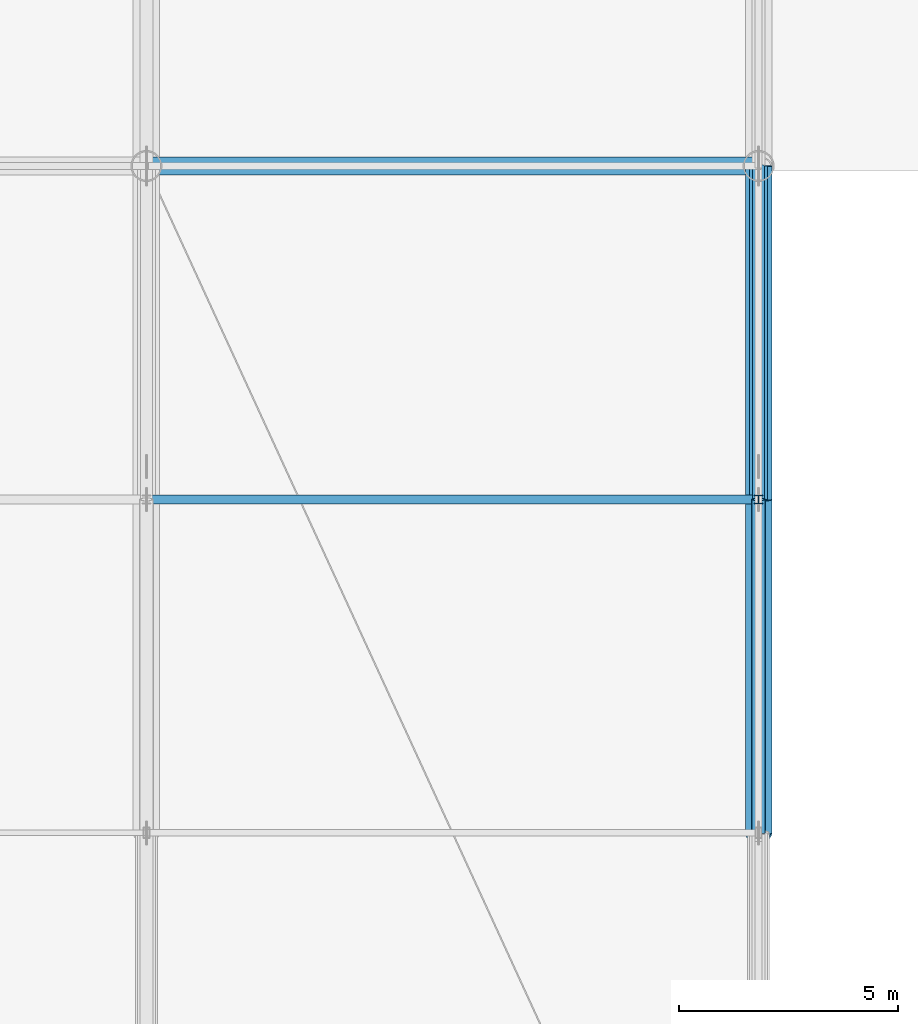
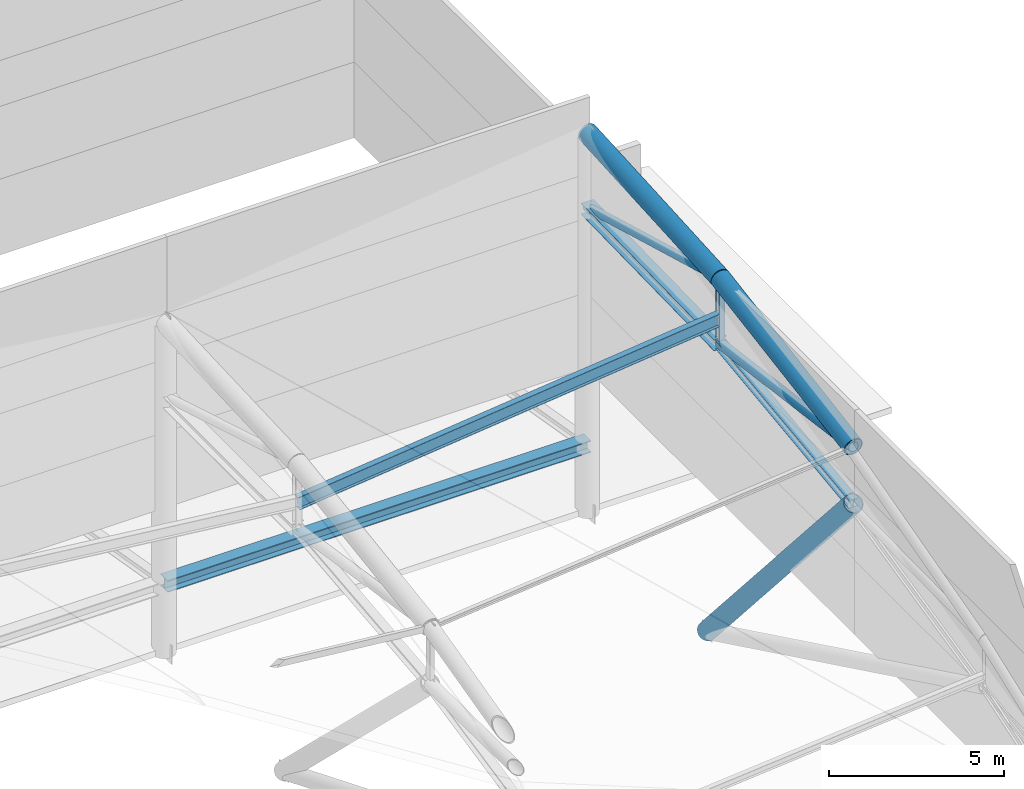
# One storey, part 63 of 113: 9 members, 1 beam.
"""IFC4 building model written with IfcOpenShell, lengths in metres."""

from ifc_helpers import new_model, si_unit, direction, frame, origin, origin_2d, place, context, subcontext, project, spatial, hollow_circle, i_section, extrude, material, material_profile, profile_set, type_object, element, save


model = new_model("IFC4")

# Units and contexts
model_context = context("Model", 3, precision=1e-05, world=origin(), true_north=direction((0.0, 1.0)))
body_context = subcontext(model_context, "Body", "Model", "MODEL_VIEW")
ifc_project = project(units=[si_unit("LENGTHUNIT", "METRE"), si_unit("AREAUNIT", "SQUARE_METRE"), si_unit("VOLUMEUNIT", "CUBIC_METRE"), si_unit("PLANEANGLEUNIT", "RADIAN"), si_unit("MASSUNIT", "GRAM", prefix="KILO")], contexts=[model_context])

# Site, building, storey
site_placement = place(None, origin())
site = spatial("IfcSite", under=ifc_project, at=site_placement, CompositionType="ELEMENT")
building_placement = place(site_placement, origin())
building = spatial("IfcBuilding", under=site, at=building_placement, Name="Linyun Crest Stadium", CompositionType="ELEMENT")
storey_placement = place(building_placement, frame((0.0, 0.0, 26.39990234375)))
storey = spatial("IfcBuildingStorey", under=building, at=storey_placement, Name="L06", CompositionType="ELEMENT", Elevation=26.39990234375)

# Beam
ifc_material_1 = material(Name="Steel Q420C", Category="steel")
ifc_material_profile_1 = material_profile(ifc_material_1, i_section(OverallWidth=0.405029296875, OverallDepth=0.4140625, WebThickness=0.01806640625, FlangeThickness=0.028076171875, at=origin_2d()), Name="HW 414x405")
ifc_profile_set_1 = profile_set([ifc_material_profile_1], Name="Steel Q420C")
beam_type = type_object("IfcBeamType", Name="HB04", PredefinedType="USERDEFINED", material=ifc_profile_set_1)
beam_placement = place(storey_placement, frame((14.0, 91.5, 2.18505859375), z_axis=(1.0, 0.0, 0.0), x_axis=(0.0, 1.0, 0.0)))
element("IfcBeam", 1, at=beam_placement, inside=storey, type_object=beam_type, Name="Roof Outer compression ring beam HB04 V3 36", ObjectType="RING BEAM", PredefinedType="USERDEFINED", context=body_context, shape_type="SweptSolid", body=[
    extrude(i_section(OverallWidth=0.405029296875, OverallDepth=0.4140625, WebThickness=0.01806640625, FlangeThickness=0.028076171875, at=origin_2d()), origin(), (0.0, 0.0, 1.0), 14.0),
])

# Members
ifc_material_2 = material(Name="Steel Q355B", Category="steel")
ifc_material_profile_2 = material_profile(ifc_material_2, i_section(OverallWidth=0.199951171875, OverallDepth=0.449951171875, WebThickness=0.009033203125, FlangeThickness=0.013916015625, at=origin_2d()), Name="HN 450x200")
ifc_profile_set_2 = profile_set([ifc_material_profile_2], Name="Steel Q355B")
member_type_1 = type_object("IfcMemberType", Name="PR04", PredefinedType="PURLIN", material=ifc_profile_set_2)
member_1_placement = place(storey_placement, frame((14.0, 83.875, 9.63916015625), z_axis=(0.993911393059, 0.0, 0.110182315947), x_axis=(0.0, 1.0, 0.0)))
element("IfcMember", 2, at=member_1_placement, inside=storey, type_object=member_type_1, Name="Roof canopy purlin PR04 V3 468", PredefinedType="PURLIN", context=body_context, shape_type="SweptSolid", body=[
    extrude(i_section(OverallWidth=0.199951171875, OverallDepth=0.449951171875, WebThickness=0.009033203125, FlangeThickness=0.013916015625, at=origin_2d()), origin(), (0.0, 0.0, 1.0), 14.085693359375),
])
ifc_material_3 = material(Name="Steel Q420C", Category="steel")
ifc_material_profile_3 = material_profile(ifc_material_3, hollow_circle(Radius=0.304931640625, WallThickness=0.030029296875, at=origin_2d()), Name="CHS 610x30")
ifc_profile_set_3 = profile_set([ifc_material_profile_3], Name="Steel Q420C")
member_type_2 = type_object("IfcMemberType", Name="TC02", PredefinedType="CHORD", material=ifc_profile_set_3)
member_2_placement = place(storey_placement, frame((28.0, 91.5, 13.050048828125), z_axis=(0.0, -0.998074401863, -0.062028125449), x_axis=(1.0, 0.0, 0.0)))
element("IfcMember", 3, at=member_2_placement, inside=storey, type_object=member_type_2, Name="Roof truss top chord TC02 V3 439", PredefinedType="CHORD", context=body_context, shape_type="SweptSolid", body=[
    extrude(hollow_circle(Radius=0.304931640625, WallThickness=0.030029296875, at=origin_2d()), origin(), (0.0, 0.0, 1.0), 7.6396484375),
])
member_3_placement = place(storey_placement, frame((28.0, 83.875, 12.576171875), z_axis=(0.0, -0.986323845108, -0.164818908415), x_axis=(1.0, 0.0, 0.0)))
element("IfcMember", 4, at=member_3_placement, inside=storey, type_object=member_type_2, Name="Roof truss top chord TC02 V3 442", PredefinedType="CHORD", context=body_context, shape_type="SweptSolid", body=[
    extrude(hollow_circle(Radius=0.304931640625, WallThickness=0.030029296875, at=origin_2d()), origin(), (0.0, 0.0, 1.0), 7.730712890625),
])
member_4_placement = place(storey_placement, frame((28.0, 84.625, -0.21484375), z_axis=(0.0, -0.659690988312, 0.751536958466), x_axis=(1.0, 0.0, 0.0)))
element("IfcMember", 5, at=member_4_placement, inside=storey, type_object=member_type_2, Name="Roof arch inclined support strut TC02 V3 454", PredefinedType="CHORD", context=body_context, shape_type="SweptSolid", body=[
    extrude(hollow_circle(Radius=0.304931640625, WallThickness=0.030029296875, at=origin_2d()), origin(), (0.0, 0.0, 1.0), 12.6953125),
])
ifc_material_4 = material(Name="Steel Q355C", Category="steel")
ifc_material_profile_4 = material_profile(ifc_material_4, i_section(OverallWidth=0.300048828125, OverallDepth=0.300048828125, WebThickness=0.010009765625, FlangeThickness=0.014892578125, at=origin_2d()), Name="HW 300x300")
ifc_profile_set_4 = profile_set([ifc_material_profile_4], Name="Steel Q355C")
member_type_3 = type_object("IfcMemberType", Name="TC03", PredefinedType="CHORD", material=ifc_profile_set_4)
member_5_placement = place(storey_placement, frame((28.0, 83.875, 10.2880859375), z_axis=(0.0, -0.992136487072, -0.125160660831), x_axis=(1.0, 0.0, 0.0)))
element("IfcMember", 6, at=member_5_placement, inside=storey, type_object=member_type_3, Name="Roof truss bottom chord TC03 V3 443", PredefinedType="CHORD", context=body_context, shape_type="SweptSolid", body=[
    extrude(i_section(OverallWidth=0.300048828125, OverallDepth=0.300048828125, WebThickness=0.010009765625, FlangeThickness=0.014892578125, at=origin_2d()), origin(), (0.0, 0.0, 1.0), 7.685546875),
])
ifc_material_5 = material(Name="Steel Q420C", Category="steel")
ifc_material_profile_5 = material_profile(ifc_material_5, i_section(OverallWidth=0.407958984375, OverallDepth=0.39990234375, WebThickness=0.02099609375, FlangeThickness=0.02099609375, at=origin_2d()), Name="HW 400x408")
ifc_profile_set_5 = profile_set([ifc_material_profile_5], Name="Steel Q420C")
member_type_4 = type_object("IfcMemberType", Name="TC04", PredefinedType="CHORD", material=ifc_profile_set_5)
member_6_placement = place(storey_placement, frame((28.0, 91.5, 10.4501953125), z_axis=(0.0, -0.999774077557, -0.021255442735), x_axis=(1.0, 0.0, 0.0)))
element("IfcMember", 7, at=member_6_placement, inside=storey, type_object=member_type_4, Name="Roof truss bottom chord TC04 V3 440", PredefinedType="CHORD", context=body_context, shape_type="SweptSolid", body=[
    extrude(i_section(OverallWidth=0.407958984375, OverallDepth=0.39990234375, WebThickness=0.02099609375, FlangeThickness=0.02099609375, at=origin_2d()), origin(), (0.0, 0.0, 1.0), 7.626708984375),
])
ifc_material_6 = material(Name="Steel Q355C", Category="steel")
ifc_material_profile_6 = material_profile(ifc_material_6, hollow_circle(Radius=0.136474609375, WallThickness=0.013916015625, at=origin_2d()), Name="CHS 273x14")
ifc_profile_set_6 = profile_set([ifc_material_profile_6], Name="Steel Q355C")
member_type_5 = type_object("IfcMemberType", Name="TD01", PredefinedType="BRACE", material=ifc_profile_set_6)
member_7_placement = place(storey_placement, frame((28.0, 91.5, 10.4501953125), z_axis=(0.0, -0.963259413562, 0.268572713028), x_axis=(1.0, 0.0, 0.0)))
element("IfcMember", 8, at=member_7_placement, inside=storey, type_object=member_type_5, Name="Roof truss diagonal TD01 V3 441", PredefinedType="BRACE", context=body_context, shape_type="SweptSolid", body=[
    extrude(hollow_circle(Radius=0.136474609375, WallThickness=0.013916015625, at=origin_2d()), origin(), (0.0, 0.0, 1.0), 7.915771484375),
])
ifc_material_7 = material(Name="Steel Q355C", Category="steel")
ifc_material_profile_7 = material_profile(ifc_material_7, hollow_circle(Radius=0.16259765625, WallThickness=0.01611328125, at=origin_2d()), Name="CHS 325x16")
ifc_profile_set_7 = profile_set([ifc_material_profile_7], Name="Steel Q355C")
member_type_6 = type_object("IfcMemberType", Name="TD02", PredefinedType="BRACE", material=ifc_profile_set_7)
member_8_placement = place(storey_placement, frame((28.0, 83.875, 10.2880859375), z_axis=(0.0, -0.991274684729, 0.131812364424), x_axis=(1.0, 0.0, 0.0)))
element("IfcMember", 9, at=member_8_placement, inside=storey, type_object=member_type_6, Name="Roof truss diagonal TD02 V3 444", PredefinedType="BRACE", context=body_context, shape_type="SweptSolid", body=[
    extrude(hollow_circle(Radius=0.16259765625, WallThickness=0.01611328125, at=origin_2d()), origin(), (0.0, 0.0, 1.0), 7.692138671875),
])
ifc_material_8 = material(Name="Steel Q355C", Category="steel")
ifc_material_profile_8 = material_profile(ifc_material_8, i_section(OverallWidth=0.199951171875, OverallDepth=0.199951171875, WebThickness=0.008056640625, FlangeThickness=0.011962890625, at=origin_2d()), Name="HW 200x200")
ifc_profile_set_8 = profile_set([ifc_material_profile_8], Name="Steel Q355C")
member_type_7 = type_object("IfcMemberType", Name="TV02", PredefinedType="STRUT", material=ifc_profile_set_8)
member_9_placement = place(storey_placement, frame((28.0, 83.875, 10.2880859375), z_axis=(0.0, 0.0, 1.0), x_axis=(1.0, 0.0, 0.0)))
element("IfcMember", 10, at=member_9_placement, inside=storey, type_object=member_type_7, Name="Roof vertical strut TV02 V3 445", PredefinedType="STRUT", context=body_context, shape_type="SweptSolid", body=[
    extrude(i_section(OverallWidth=0.199951171875, OverallDepth=0.199951171875, WebThickness=0.008056640625, FlangeThickness=0.011962890625, at=origin_2d()), origin(), (0.0, 0.0, 1.0), 2.2880859375),
])

save(model, "model.ifc")
